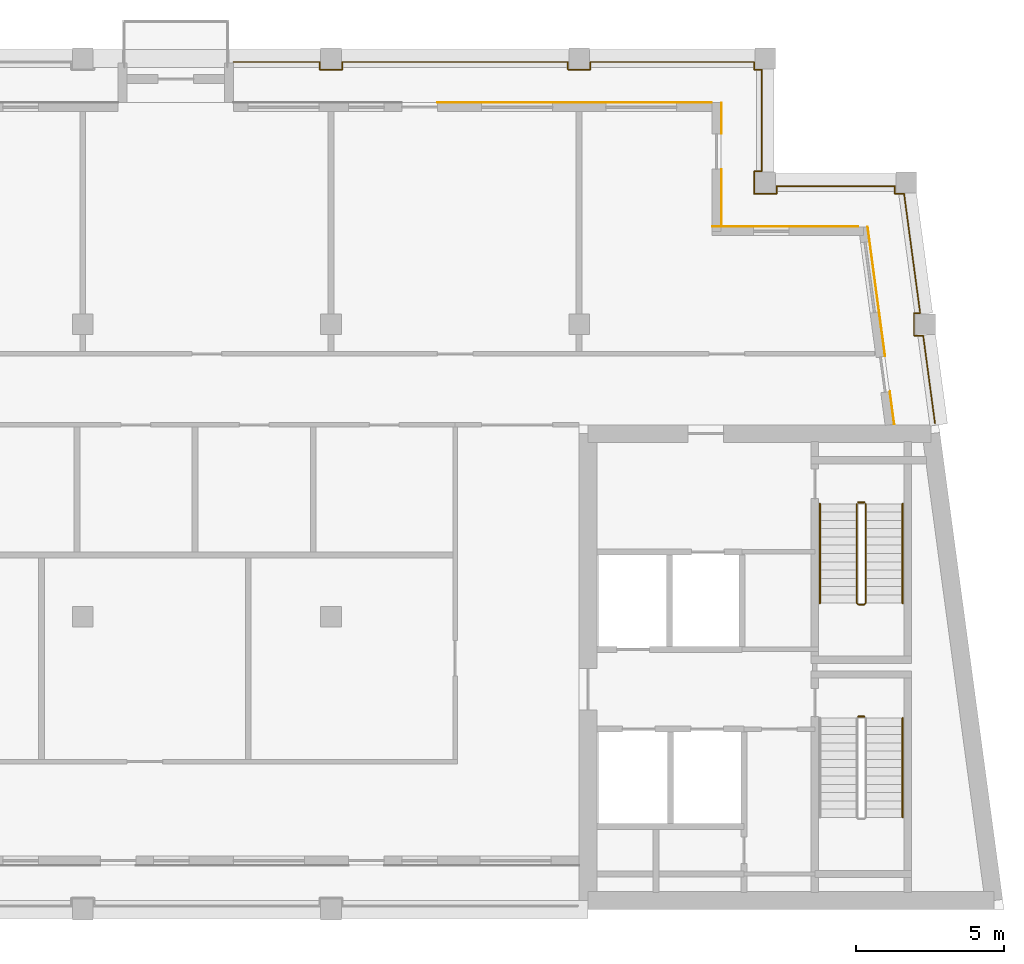
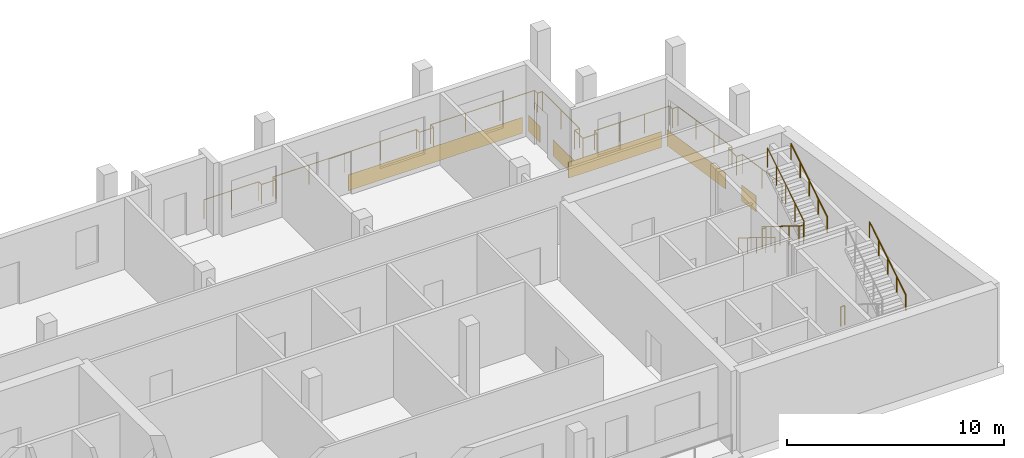
# One storey, part 8 of 8: 7 railings, 6 coverings.
"""IFC4 building model written with IfcOpenShell, lengths in metres."""

from ifc_helpers import new_model, si_unit, direction, frame, origin, origin_2d, place, context, subcontext, project, spatial, rectangle, circle, extrude, material, layer, layer_set, type_object, element, save


model = new_model("IFC4")

# Units and contexts
model_context = context("Model", 3, precision=1e-05, world=origin(), true_north=direction((0.0, 1.0)))
body_context = subcontext(model_context, "Body", "Model", "MODEL_VIEW")
ifc_project = project(units=[si_unit("LENGTHUNIT", "METRE"), si_unit("AREAUNIT", "SQUARE_METRE"), si_unit("VOLUMEUNIT", "CUBIC_METRE"), si_unit("PLANEANGLEUNIT", "RADIAN"), si_unit("MASSUNIT", "GRAM", prefix="KILO")], contexts=[model_context])

# Site, building, storey
site_placement = place(None, origin())
site = spatial("IfcSite", under=ifc_project, at=site_placement, CompositionType="ELEMENT")
building_placement = place(site_placement, origin())
building = spatial("IfcBuilding", under=site, at=building_placement, Name="Candeia Pilgrim Tower and Theatre", CompositionType="ELEMENT")
storey_placement = place(building_placement, frame((0.0, 0.0, 315.39990234375)))
storey = spatial("IfcBuildingStorey", under=building, at=storey_placement, Name="L76", CompositionType="ELEMENT", Elevation=315.39990234375)

# Railing
ifc_material_1 = material(Name="Stainless steel balustrade", Category="steel")
railing_type_1 = type_object("IfcRailingType", Name="G1 loggia guard 1100", PredefinedType="GUARDRAIL", material=ifc_material_1)
railing_1_placement = place(storey_placement, frame((114.300048828125, 144.679931640625, 0.0)))
element("IfcRailing", 1, at=railing_1_placement, inside=storey, type_object=railing_type_1, Name="Guard L76.2", PredefinedType="GUARDRAIL", context=body_context, shape_type="SweptSolid", body=[
    extrude(circle(Radius=0.02392578125, at=origin_2d()), frame((0.0, 0.0, 1.076171875), z_axis=(1.0, 0.0, 0.0), x_axis=(0.0, 1.0, 0.0)), (0.0, 0.0, 1.0), 2.919921875),
    extrude(circle(Radius=0.02392578125, at=origin_2d()), frame((2.919921875, 0.0, 1.076171875), z_axis=(0.0, -1.0, 0.0), x_axis=(1.0, 0.0, 0.0)), (0.0, 0.0, 1.0), 0.260009765625),
    extrude(circle(Radius=0.02392578125, at=origin_2d()), frame((2.919921875, -0.260009765625, 1.076171875), z_axis=(1.0, 0.0, 0.0), x_axis=(0.0, 1.0, 0.0)), (0.0, 0.0, 1.0), 0.760009765625),
    extrude(circle(Radius=0.02392578125, at=origin_2d()), frame((3.679931640625, -0.260009765625, 1.076171875), z_axis=(0.0, 1.0, 0.0), x_axis=(-1.0, 0.0, 0.0)), (0.0, 0.0, 1.0), 0.260009765625),
    extrude(circle(Radius=0.02392578125, at=origin_2d()), frame((3.679931640625, 0.0, 1.076171875), z_axis=(1.0, 0.0, 0.0), x_axis=(0.0, 1.0, 0.0)), (0.0, 0.0, 1.0), 7.64013671875),
    extrude(circle(Radius=0.02392578125, at=origin_2d()), frame((11.320068359375, 0.0, 1.076171875), z_axis=(0.0, -1.0, 0.0), x_axis=(1.0, 0.0, 0.0)), (0.0, 0.0, 1.0), 0.260009765625),
    extrude(circle(Radius=0.02392578125, at=origin_2d()), frame((11.320068359375, -0.260009765625, 1.076171875), z_axis=(1.0, 0.0, 0.0), x_axis=(0.0, 1.0, 0.0)), (0.0, 0.0, 1.0), 0.759765625),
    extrude(circle(Radius=0.02392578125, at=origin_2d()), frame((12.079833984375, -0.260009765625, 1.076171875), z_axis=(0.0, 1.0, 0.0), x_axis=(-1.0, 0.0, 0.0)), (0.0, 0.0, 1.0), 0.260009765625),
    extrude(circle(Radius=0.02392578125, at=origin_2d()), frame((12.079833984375, 0.0, 1.076171875), z_axis=(1.0, 0.0, 0.0), x_axis=(0.0, 1.0, 0.0)), (0.0, 0.0, 1.0), 5.5400390625),
    extrude(circle(Radius=0.02392578125, at=origin_2d()), frame((17.619873046875, 0.0, 1.076171875), z_axis=(0.0, -1.0, 0.0), x_axis=(1.0, 0.0, 0.0)), (0.0, 0.0, 1.0), 0.260009765625),
    extrude(circle(Radius=0.02392578125, at=origin_2d()), frame((17.619873046875, -0.260009765625, 1.076171875), z_axis=(1.0, 0.0, 0.0), x_axis=(0.0, 1.0, 0.0)), (0.0, 0.0, 1.0), 0.260009765625),
    extrude(circle(Radius=0.02392578125, at=origin_2d()), frame((17.8798828125, -0.260009765625, 1.076171875), z_axis=(0.0, -1.0, 0.0), x_axis=(1.0, 0.0, 0.0)), (0.0, 0.0, 1.0), 3.43994140625),
    extrude(circle(Radius=0.02392578125, at=origin_2d()), frame((17.8798828125, -3.699951171875, 1.076171875), z_axis=(-1.0, 0.0, 0.0), x_axis=(0.0, -1.0, 0.0)), (0.0, 0.0, 1.0), 0.260009765625),
    extrude(circle(Radius=0.02392578125, at=origin_2d()), frame((17.619873046875, -3.699951171875, 1.076171875), z_axis=(0.0, -1.0, 0.0), x_axis=(1.0, 0.0, 0.0)), (0.0, 0.0, 1.0), 0.760009765625),
    extrude(circle(Radius=0.02392578125, at=origin_2d()), frame((17.619873046875, -4.4599609375, 1.076171875), z_axis=(1.0, 0.0, 0.0), x_axis=(0.0, 1.0, 0.0)), (0.0, 0.0, 1.0), 0.760009765625),
    extrude(circle(Radius=0.02392578125, at=origin_2d()), frame((18.3798828125, -4.4599609375, 1.076171875), z_axis=(0.0, 1.0, 0.0), x_axis=(-1.0, 0.0, 0.0)), (0.0, 0.0, 1.0), 0.260009765625),
    extrude(circle(Radius=0.02392578125, at=origin_2d()), frame((18.3798828125, -4.199951171875, 1.076171875), z_axis=(1.0, 0.0, 0.0), x_axis=(0.0, 1.0, 0.0)), (0.0, 0.0, 1.0), 4.00537109375),
    extrude(circle(Radius=0.02392578125, at=origin_2d()), frame((22.38525390625, -4.199951171875, 1.076171875), z_axis=(0.0, -1.0, 0.0), x_axis=(1.0, 0.0, 0.0)), (0.0, 0.0, 1.0), 0.260009765625),
    extrude(circle(Radius=0.02392578125, at=origin_2d()), frame((22.38525390625, -4.4599609375, 1.076171875), z_axis=(1.0, 0.0, 0.0), x_axis=(0.0, 1.0, 0.0)), (0.0, 0.0, 1.0), 0.31005859375),
    extrude(circle(Radius=0.02392578125, at=origin_2d()), frame((22.6953125, -4.4599609375, 1.076171875), z_axis=(0.133434636686, -0.991057615748, 0.0), x_axis=(0.991057615748, 0.133434636686, 0.0)), (0.0, 0.0, 1.0), 4.076416015625),
    extrude(circle(Radius=0.02392578125, at=origin_2d()), frame((23.2392578125, -8.5, 1.076171875), z_axis=(-1.0, 0.0, 0.0), x_axis=(0.0, -1.0, 0.0)), (0.0, 0.0, 1.0), 0.207763671875),
    extrude(circle(Radius=0.02392578125, at=origin_2d()), frame((23.031494140625, -8.5, 1.076171875), z_axis=(0.0, -1.0, 0.0), x_axis=(1.0, 0.0, 0.0)), (0.0, 0.0, 1.0), 0.760009765625),
    extrude(circle(Radius=0.02392578125, at=origin_2d()), frame((23.031494140625, -9.260009765625, 1.076171875), z_axis=(1.0, 0.0, 0.0), x_axis=(0.0, 1.0, 0.0)), (0.0, 0.0, 1.0), 0.31005859375),
    extrude(circle(Radius=0.02392578125, at=origin_2d()), frame((23.341552734375, -9.260009765625, 1.076171875), z_axis=(0.133444326958, -0.991056311015, 0.0), x_axis=(0.991056311015, 0.133444326958, 0.0)), (0.0, 0.0, 1.0), 2.996826171875),
    extrude(circle(Radius=0.02099609375, at=origin_2d()), origin(), (0.0, 0.0, 1.0), 1.052001953125),
    extrude(circle(Radius=0.02099609375, at=origin_2d()), frame((1.4599609375, 0.0, 0.0)), (0.0, 0.0, 1.0), 1.052001953125),
    extrude(circle(Radius=0.02099609375, at=origin_2d()), frame((2.919921875, 0.0, 0.0)), (0.0, 0.0, 1.0), 1.052001953125),
    extrude(circle(Radius=0.02099609375, at=origin_2d()), frame((2.919921875, -0.260009765625, 0.0)), (0.0, 0.0, 1.0), 1.052001953125),
    extrude(circle(Radius=0.02099609375, at=origin_2d()), frame((3.679931640625, -0.260009765625, 0.0)), (0.0, 0.0, 1.0), 1.052001953125),
    extrude(circle(Radius=0.02099609375, at=origin_2d()), frame((3.679931640625, 0.0, 0.0)), (0.0, 0.0, 1.0), 1.052001953125),
    extrude(circle(Radius=0.02099609375, at=origin_2d()), frame((5.58984375, 0.0, 0.0)), (0.0, 0.0, 1.0), 1.052001953125),
    extrude(circle(Radius=0.02099609375, at=origin_2d()), frame((7.5, 0.0, 0.0)), (0.0, 0.0, 1.0), 1.052001953125),
    extrude(circle(Radius=0.02099609375, at=origin_2d()), frame((9.41015625, 0.0, 0.0)), (0.0, 0.0, 1.0), 1.052001953125),
    extrude(circle(Radius=0.02099609375, at=origin_2d()), frame((11.320068359375, 0.0, 0.0)), (0.0, 0.0, 1.0), 1.052001953125),
    extrude(circle(Radius=0.02099609375, at=origin_2d()), frame((11.320068359375, -0.260009765625, 0.0)), (0.0, 0.0, 1.0), 1.052001953125),
    extrude(circle(Radius=0.02099609375, at=origin_2d()), frame((12.079833984375, -0.260009765625, 0.0)), (0.0, 0.0, 1.0), 1.052001953125),
    extrude(circle(Radius=0.02099609375, at=origin_2d()), frame((12.079833984375, 0.0, 0.0)), (0.0, 0.0, 1.0), 1.052001953125),
    extrude(circle(Radius=0.02099609375, at=origin_2d()), frame((13.926513671875, 0.0, 0.0)), (0.0, 0.0, 1.0), 1.052001953125),
    extrude(circle(Radius=0.02099609375, at=origin_2d()), frame((15.773193359375, 0.0, 0.0)), (0.0, 0.0, 1.0), 1.052001953125),
    extrude(circle(Radius=0.02099609375, at=origin_2d()), frame((17.619873046875, 0.0, 0.0)), (0.0, 0.0, 1.0), 1.052001953125),
    extrude(circle(Radius=0.02099609375, at=origin_2d()), frame((17.619873046875, -0.260009765625, 0.0)), (0.0, 0.0, 1.0), 1.052001953125),
    extrude(circle(Radius=0.02099609375, at=origin_2d()), frame((17.8798828125, -0.260009765625, 0.0)), (0.0, 0.0, 1.0), 1.052001953125),
    extrude(circle(Radius=0.02099609375, at=origin_2d()), frame((17.8798828125, -1.97998046875, 0.0)), (0.0, 0.0, 1.0), 1.052001953125),
    extrude(circle(Radius=0.02099609375, at=origin_2d()), frame((17.8798828125, -3.699951171875, 0.0)), (0.0, 0.0, 1.0), 1.052001953125),
    extrude(circle(Radius=0.02099609375, at=origin_2d()), frame((17.619873046875, -3.699951171875, 0.0)), (0.0, 0.0, 1.0), 1.052001953125),
    extrude(circle(Radius=0.02099609375, at=origin_2d()), frame((17.619873046875, -4.4599609375, 0.0)), (0.0, 0.0, 1.0), 1.052001953125),
    extrude(circle(Radius=0.02099609375, at=origin_2d()), frame((18.3798828125, -4.4599609375, 0.0)), (0.0, 0.0, 1.0), 1.052001953125),
    extrude(circle(Radius=0.02099609375, at=origin_2d()), frame((18.3798828125, -4.199951171875, 0.0)), (0.0, 0.0, 1.0), 1.052001953125),
    extrude(circle(Radius=0.02099609375, at=origin_2d()), frame((19.715087890625, -4.199951171875, 0.0)), (0.0, 0.0, 1.0), 1.052001953125),
    extrude(circle(Radius=0.02099609375, at=origin_2d()), frame((21.050048828125, -4.199951171875, 0.0)), (0.0, 0.0, 1.0), 1.052001953125),
    extrude(circle(Radius=0.02099609375, at=origin_2d()), frame((22.38525390625, -4.199951171875, 0.0)), (0.0, 0.0, 1.0), 1.052001953125),
    extrude(circle(Radius=0.02099609375, at=origin_2d()), frame((22.38525390625, -4.4599609375, 0.0)), (0.0, 0.0, 1.0), 1.052001953125),
    extrude(circle(Radius=0.02099609375, at=origin_2d()), frame((22.6953125, -4.4599609375, 0.0)), (0.0, 0.0, 1.0), 1.052001953125),
    extrude(circle(Radius=0.02099609375, at=origin_2d()), frame((22.876708984375, -5.806640625, 0.0)), (0.0, 0.0, 1.0), 1.052001953125),
    extrude(circle(Radius=0.02099609375, at=origin_2d()), frame((23.057861328125, -7.1533203125, 0.0)), (0.0, 0.0, 1.0), 1.052001953125),
    extrude(circle(Radius=0.02099609375, at=origin_2d()), frame((23.2392578125, -8.5, 0.0)), (0.0, 0.0, 1.0), 1.052001953125),
    extrude(circle(Radius=0.02099609375, at=origin_2d()), frame((23.031494140625, -8.5, 0.0)), (0.0, 0.0, 1.0), 1.052001953125),
    extrude(circle(Radius=0.02099609375, at=origin_2d()), frame((23.031494140625, -9.260009765625, 0.0)), (0.0, 0.0, 1.0), 1.052001953125),
    extrude(circle(Radius=0.02099609375, at=origin_2d()), frame((23.341552734375, -9.260009765625, 0.0)), (0.0, 0.0, 1.0), 1.052001953125),
    extrude(circle(Radius=0.02099609375, at=origin_2d()), frame((23.54150390625, -10.7451171875, 0.0)), (0.0, 0.0, 1.0), 1.052001953125),
    extrude(circle(Radius=0.02099609375, at=origin_2d()), frame((23.741455078125, -12.22998046875, 0.0)), (0.0, 0.0, 1.0), 1.052001953125),
])

# Coverings
ifc_material_2 = material(Name="Glazed ceramic tile bottle green")
ifc_layer = layer(ifc_material_2, 0.02001953125)
ifc_layer_set = layer_set([ifc_layer], Name="Glazed ceramic tile bottle green")
covering_type = type_object("IfcCoveringType", Name="Glazed ceramic tile bottle green", PredefinedType="CLADDING", material=ifc_layer_set)
covering_1_placement = place(storey_placement, frame((136.588623046875, 132.97412109375, 0.000244140625), z_axis=(0.0, 0.0, 1.0), x_axis=(-0.133412012145, 0.991060661622, 0.0)))
element("IfcCovering", 2, at=covering_1_placement, inside=storey, type_object=covering_type, Name="Tile cladding bottle green L76", PredefinedType="CLADDING", context=body_context, shape_type="SweptSolid", body=[
    extrude(rectangle(XDim=1.115234375, YDim=0.02001953125, at=origin_2d()), origin(), (0.0, 0.0, 1.0), 0.89990234375),
])
covering_2_placement = place(storey_placement, frame((136.058837890625, 136.90869140625, 0.000244140625), z_axis=(0.0, 0.0, 1.0), x_axis=(-0.133412012145, 0.991060661622, 0.0)))
element("IfcCovering", 3, at=covering_2_placement, inside=storey, type_object=covering_type, Name="Tile cladding bottle green L76", PredefinedType="CLADDING", context=body_context, shape_type="SweptSolid", body=[
    extrude(rectangle(XDim=4.4248046875, YDim=0.02001953125, at=origin_2d()), origin(), (0.0, 0.0, 1.0), 0.89990234375),
])
covering_3_placement = place(storey_placement, frame((132.976318359375, 139.110107421875, 0.000244140625), z_axis=(0.0, 0.0, 1.0), x_axis=(-1.0, 0.0, 0.0)))
element("IfcCovering", 4, at=covering_3_placement, inside=storey, type_object=covering_type, Name="Tile cladding bottle green L76", PredefinedType="CLADDING", context=body_context, shape_type="SweptSolid", body=[
    extrude(rectangle(XDim=4.95263671875, YDim=0.02001953125, at=origin_2d()), origin(), (0.0, 0.0, 1.0), 0.89990234375),
])
covering_4_placement = place(storey_placement, frame((130.81005859375, 140.0849609375, 0.000244140625), z_axis=(0.0, 0.0, 1.0), x_axis=(0.0, 1.0, 0.0)))
element("IfcCovering", 5, at=covering_4_placement, inside=storey, type_object=covering_type, Name="Tile cladding bottle green L76", PredefinedType="CLADDING", context=body_context, shape_type="SweptSolid", body=[
    extrude(rectangle(XDim=1.929931640625, YDim=0.02001953125, at=origin_2d()), origin(), (0.0, 0.0, 1.0), 0.89990234375),
])
covering_5_placement = place(storey_placement, frame((130.81005859375, 142.77490234375, 0.000244140625), z_axis=(0.0, 0.0, 1.0), x_axis=(0.0, 1.0, 0.0)))
element("IfcCovering", 6, at=covering_5_placement, inside=storey, type_object=covering_type, Name="Tile cladding bottle green L76", PredefinedType="CLADDING", context=body_context, shape_type="SweptSolid", body=[
    extrude(rectangle(XDim=1.050048828125, YDim=0.02001953125, at=origin_2d()), origin(), (0.0, 0.0, 1.0), 0.89990234375),
])
covering_6_placement = place(storey_placement, frame((125.840087890625, 143.31005859375, 0.000244140625), z_axis=(0.0, 0.0, 1.0), x_axis=(-1.0, 0.0, 0.0)))
element("IfcCovering", 7, at=covering_6_placement, inside=storey, type_object=covering_type, Name="Tile cladding bottle green L76", PredefinedType="CLADDING", context=body_context, shape_type="SweptSolid", body=[
    extrude(rectangle(XDim=9.280029296875, YDim=0.02001953125, at=origin_2d()), origin(), (0.0, 0.0, 1.0), 0.89990234375),
])

# Railings
railing_type_2 = type_object("IfcRailingType", Name="RL-GUARD-1100", PredefinedType="GUARDRAIL", material=ifc_material_1)
railing_2_placement = place(storey_placement, frame((135.447998046875, 122.52490234375, 0.0)))
element("IfcRailing", 8, at=railing_2_placement, inside=storey, type_object=railing_type_2, Name="L76 ST3 stair guard 2", PredefinedType="GUARDRAIL", context=body_context, shape_type="SweptSolid", body=[
    extrude(circle(Radius=0.02392578125, at=origin_2d()), frame((0.0, 0.0, 1.076171875), z_axis=(1.0, 0.0, 0.0), x_axis=(0.0, 1.0, 0.0)), (0.0, 0.0, 1.0), 0.199951171875),
    extrude(circle(Radius=0.02099609375, at=origin_2d()), origin(), (0.0, 0.0, 1.0), 1.052001953125),
    extrude(circle(Radius=0.02099609375, at=origin_2d()), frame((0.199951171875, 0.0, 0.0)), (0.0, 0.0, 1.0), 1.052001953125),
])
railing_3_placement = place(storey_placement, frame((135.39794921875, 129.72509765625, 0.173095703125)))
element("IfcRailing", 9, at=railing_3_placement, inside=storey, type_object=railing_type_2, Name="L76 ST4 stair guard 1", PredefinedType="GUARDRAIL", context=body_context, shape_type="SweptSolid", body=[
    extrude(circle(Radius=0.02392578125, at=origin_2d()), frame((0.0, 0.0, 1.076171875), z_axis=(0.0, -0.850623216509, 0.525775754039), x_axis=(1.0, 0.0, 0.0)), (0.0, 0.0, 1.0), 3.9501953125),
    extrude(circle(Radius=0.02392578125, at=origin_2d()), frame((0.0, -3.360107421875, 3.15283203125), z_axis=(0.707106781187, -0.707106781187, 0.0), x_axis=(0.707106781187, 0.707106781187, 0.0)), (0.0, 0.0, 1.0), 0.07080078125),
    extrude(circle(Radius=0.02392578125, at=origin_2d()), frame((0.050048828125, -3.41015625, 3.15283203125), z_axis=(1.0, 0.0, 0.0), x_axis=(0.0, 1.0, 0.0)), (0.0, 0.0, 1.0), 0.199951171875),
    extrude(circle(Radius=0.02392578125, at=origin_2d()), frame((0.25, -3.41015625, 3.15283203125), z_axis=(0.267629722418, 0.267629722418, 0.925607186314), x_axis=(-0.707106781187, 0.707106781187, 0.0)), (0.0, 0.0, 1.0), 0.18701171875),
    extrude(circle(Radius=0.02392578125, at=origin_2d()), frame((0.300048828125, -3.360107421875, 3.326171875), z_axis=(0.0, 0.850623216509, 0.525775754039), x_axis=(-1.0, 0.0, 0.0)), (0.0, 0.0, 1.0), 3.9501953125),
    extrude(circle(Radius=0.02099609375, at=origin_2d()), origin(), (0.0, 0.0, 1.0), 1.052001953125),
    extrude(circle(Radius=0.02099609375, at=origin_2d()), frame((0.0, -0.840087890625, 0.519287109375)), (0.0, 0.0, 1.0), 1.052001953125),
    extrude(circle(Radius=0.02099609375, at=origin_2d()), frame((0.0, -1.68017578125, 1.03857421875)), (0.0, 0.0, 1.0), 1.052001953125),
    extrude(circle(Radius=0.02099609375, at=origin_2d()), frame((0.0, -2.52001953125, 1.5576171875)), (0.0, 0.0, 1.0), 1.052001953125),
    extrude(circle(Radius=0.02099609375, at=origin_2d()), frame((0.0, -3.360107421875, 2.076904296875)), (0.0, 0.0, 1.0), 1.052001953125),
    extrude(circle(Radius=0.02099609375, at=origin_2d()), frame((0.050048828125, -3.41015625, 2.076904296875)), (0.0, 0.0, 1.0), 1.052001953125),
    extrude(circle(Radius=0.02099609375, at=origin_2d()), frame((0.25, -3.41015625, 2.076904296875)), (0.0, 0.0, 1.0), 1.052001953125),
    extrude(circle(Radius=0.02099609375, at=origin_2d()), frame((0.300048828125, -3.360107421875, 2.25)), (0.0, 0.0, 1.0), 1.052001953125),
    extrude(circle(Radius=0.02099609375, at=origin_2d()), frame((0.300048828125, -2.52001953125, 2.769287109375)), (0.0, 0.0, 1.0), 1.052001953125),
    extrude(circle(Radius=0.02099609375, at=origin_2d()), frame((0.300048828125, -1.68017578125, 3.28857421875)), (0.0, 0.0, 1.0), 1.052001953125),
    extrude(circle(Radius=0.02099609375, at=origin_2d()), frame((0.300048828125, -0.840087890625, 3.8076171875)), (0.0, 0.0, 1.0), 1.052001953125),
    extrude(circle(Radius=0.02099609375, at=origin_2d()), frame((0.300048828125, 0.0, 4.326904296875)), (0.0, 0.0, 1.0), 1.052001953125),
])
railing_4_placement = place(storey_placement, frame((135.447998046875, 129.77490234375, 0.0)))
element("IfcRailing", 10, at=railing_4_placement, inside=storey, type_object=railing_type_2, Name="L76 ST4 stair guard 2", PredefinedType="GUARDRAIL", context=body_context, shape_type="SweptSolid", body=[
    extrude(circle(Radius=0.02392578125, at=origin_2d()), frame((0.0, 0.0, 1.076171875), z_axis=(1.0, 0.0, 0.0), x_axis=(0.0, 1.0, 0.0)), (0.0, 0.0, 1.0), 0.199951171875),
    extrude(circle(Radius=0.02099609375, at=origin_2d()), origin(), (0.0, 0.0, 1.0), 1.052001953125),
    extrude(circle(Radius=0.02099609375, at=origin_2d()), frame((0.199951171875, 0.0, 0.0)), (0.0, 0.0, 1.0), 1.052001953125),
])
ifc_material_3 = material(Name="Stainless steel handrail", Category="steel")
railing_type_3 = type_object("IfcRailingType", Name="RL-HANDRAIL-900", PredefinedType="HANDRAIL", material=ifc_material_3)
railing_5_placement = place(storey_placement, frame((136.947998046875, 119.114990234375, 2.423095703125)))
element("IfcRailing", 11, at=railing_5_placement, inside=storey, type_object=railing_type_3, Name="L76 ST3 stair handrail 2", PredefinedType="HANDRAIL", context=body_context, shape_type="SweptSolid", body=[
    extrude(circle(Radius=0.02392578125, at=origin_2d()), frame((0.0, 0.0, 0.8759765625), z_axis=(0.0, 0.850623216509, 0.525775754039), x_axis=(-1.0, 0.0, 0.0)), (0.0, 0.0, 1.0), 3.9501953125),
    extrude(circle(Radius=0.02099609375, at=origin_2d()), origin(), (0.0, 0.0, 1.0), 0.851806640625),
    extrude(circle(Radius=0.02099609375, at=origin_2d()), frame((0.0, 0.840087890625, 0.519287109375)), (0.0, 0.0, 1.0), 0.851806640625),
    extrude(circle(Radius=0.02099609375, at=origin_2d()), frame((0.0, 1.68017578125, 1.03857421875)), (0.0, 0.0, 1.0), 0.851806640625),
    extrude(circle(Radius=0.02099609375, at=origin_2d()), frame((0.0, 2.52001953125, 1.5576171875)), (0.0, 0.0, 1.0), 0.851806640625),
    extrude(circle(Radius=0.02099609375, at=origin_2d()), frame((0.0, 3.360107421875, 2.076904296875)), (0.0, 0.0, 1.0), 0.851806640625),
])
railing_6_placement = place(storey_placement, frame((134.14794921875, 129.72509765625, 0.173095703125)))
element("IfcRailing", 12, at=railing_6_placement, inside=storey, type_object=railing_type_3, Name="L76 ST4 stair handrail 1", PredefinedType="HANDRAIL", context=body_context, shape_type="SweptSolid", body=[
    extrude(circle(Radius=0.02392578125, at=origin_2d()), frame((0.0, 0.0, 0.8759765625), z_axis=(0.0, -0.850623216509, 0.525775754039), x_axis=(1.0, 0.0, 0.0)), (0.0, 0.0, 1.0), 3.9501953125),
    extrude(circle(Radius=0.02099609375, at=origin_2d()), origin(), (0.0, 0.0, 1.0), 0.851806640625),
    extrude(circle(Radius=0.02099609375, at=origin_2d()), frame((0.0, -0.840087890625, 0.519287109375)), (0.0, 0.0, 1.0), 0.851806640625),
    extrude(circle(Radius=0.02099609375, at=origin_2d()), frame((0.0, -1.68017578125, 1.03857421875)), (0.0, 0.0, 1.0), 0.851806640625),
    extrude(circle(Radius=0.02099609375, at=origin_2d()), frame((0.0, -2.52001953125, 1.5576171875)), (0.0, 0.0, 1.0), 0.851806640625),
    extrude(circle(Radius=0.02099609375, at=origin_2d()), frame((0.0, -3.360107421875, 2.076904296875)), (0.0, 0.0, 1.0), 0.851806640625),
])
railing_7_placement = place(storey_placement, frame((136.947998046875, 126.364990234375, 2.423095703125)))
element("IfcRailing", 13, at=railing_7_placement, inside=storey, type_object=railing_type_3, Name="L76 ST4 stair handrail 2", PredefinedType="HANDRAIL", context=body_context, shape_type="SweptSolid", body=[
    extrude(circle(Radius=0.02392578125, at=origin_2d()), frame((0.0, 0.0, 0.8759765625), z_axis=(0.0, 0.850623216509, 0.525775754039), x_axis=(-1.0, 0.0, 0.0)), (0.0, 0.0, 1.0), 3.9501953125),
    extrude(circle(Radius=0.02099609375, at=origin_2d()), origin(), (0.0, 0.0, 1.0), 0.851806640625),
    extrude(circle(Radius=0.02099609375, at=origin_2d()), frame((0.0, 0.840087890625, 0.519287109375)), (0.0, 0.0, 1.0), 0.851806640625),
    extrude(circle(Radius=0.02099609375, at=origin_2d()), frame((0.0, 1.68017578125, 1.03857421875)), (0.0, 0.0, 1.0), 0.851806640625),
    extrude(circle(Radius=0.02099609375, at=origin_2d()), frame((0.0, 2.52001953125, 1.5576171875)), (0.0, 0.0, 1.0), 0.851806640625),
    extrude(circle(Radius=0.02099609375, at=origin_2d()), frame((0.0, 3.360107421875, 2.076904296875)), (0.0, 0.0, 1.0), 0.851806640625),
])

save(model, "model.ifc")
